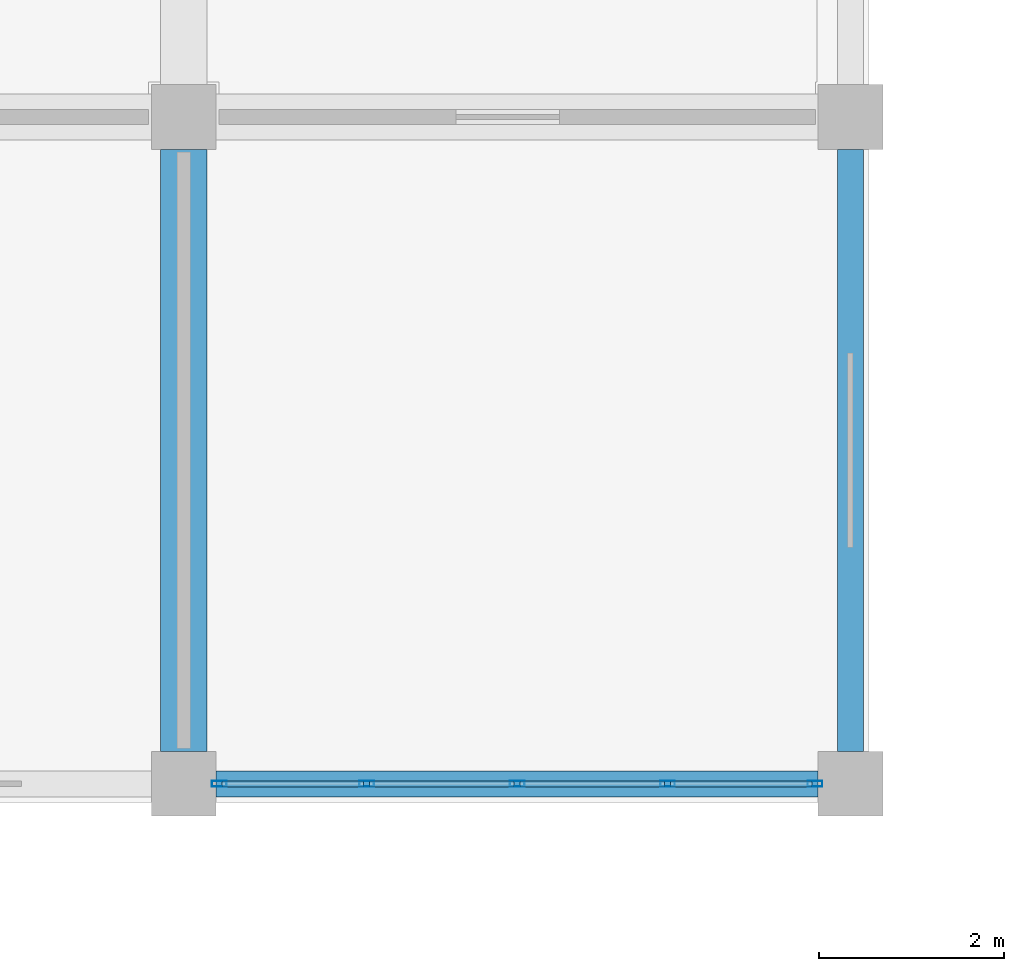
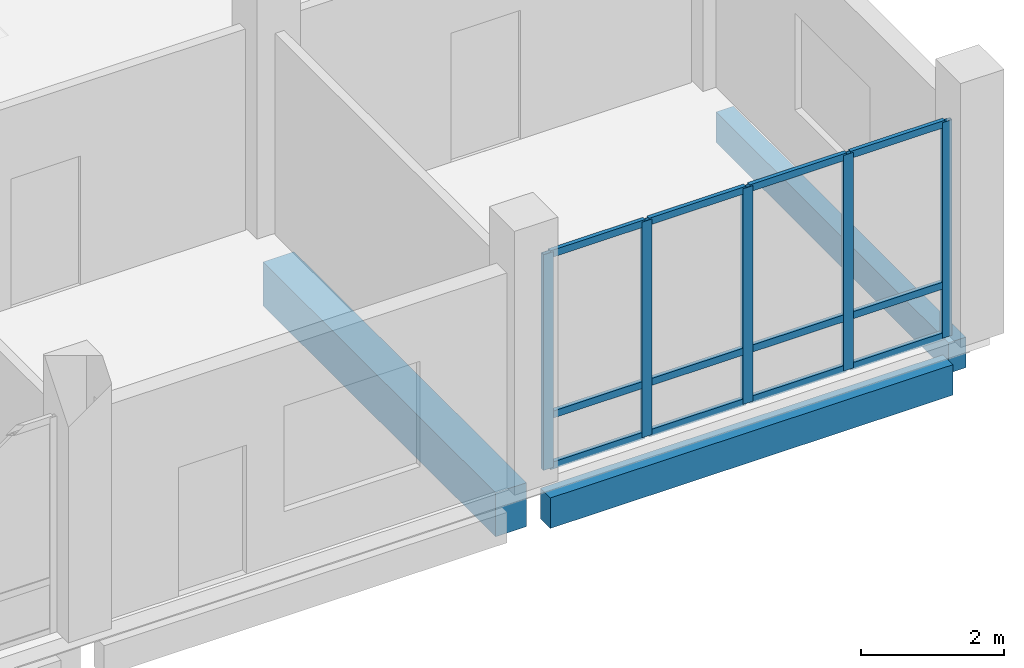
# One storey, part 75 of 139: 17 members, 3 beams, 1 element without a shape of its own.
"""IFC4 building model written with IfcOpenShell, lengths in metres."""

from ifc_helpers import new_model, si_unit, direction, frame, origin, origin_2d, place, context, subcontext, project, spatial, rectangle, hollow_rectangle, extrude, material, material_profile, profile_set, type_object, element, aggregate, save


model = new_model("IFC4")

# Units and contexts
model_context = context("Model", 3, precision=1e-05, world=origin(), true_north=direction((0.0, 1.0)))
body_context = subcontext(model_context, "Body", "Model", "MODEL_VIEW")
ifc_project = project(units=[si_unit("LENGTHUNIT", "METRE"), si_unit("AREAUNIT", "SQUARE_METRE"), si_unit("VOLUMEUNIT", "CUBIC_METRE"), si_unit("PLANEANGLEUNIT", "RADIAN"), si_unit("MASSUNIT", "GRAM", prefix="KILO")], contexts=[model_context])

# Site, building, storey
site_placement = place(None, origin())
site = spatial("IfcSite", under=ifc_project, at=site_placement, CompositionType="ELEMENT")
building_placement = place(site_placement, origin())
building = spatial("IfcBuilding", under=site, at=building_placement, Name="Suanplinth Sawtooth Commons", CompositionType="ELEMENT")
storey_placement = place(building_placement, origin())
storey = spatial("IfcBuildingStorey", under=building, at=storey_placement, Name="L00", CompositionType="ELEMENT", Elevation=0.0)

# Beams
ifc_material_1 = material(Name="Concrete C40/50", Category="concrete")
ifc_material_profile_1 = material_profile(ifc_material_1, rectangle(XDim=0.5, YDim=0.75, at=origin_2d()), Name="RC-GDR 500x750")
ifc_profile_set_1 = profile_set([ifc_material_profile_1], Name="Concrete C40/50")
beam_type_1 = type_object("IfcBeamType", Name="B-03", PredefinedType="USERDEFINED", material=ifc_profile_set_1)
beam_placement = place(storey_placement, frame((180.0, 0.35009765625, -0.794921875), z_axis=(0.0, 1.0, 0.0), x_axis=(-1.0, 0.0, 0.0)))
element("IfcBeam", 1, at=beam_placement, inside=storey, type_object=beam_type_1, Name="BMY-L00-C-25-0", ObjectType="GIRDER", PredefinedType="USERDEFINED", context=body_context, shape_type="SweptSolid", body=[
    extrude(rectangle(XDim=0.5, YDim=0.75, at=origin_2d()), origin(), (0.0, 0.0, 1.0), 6.5),
])
ifc_material_2 = material(Name="Precast concrete C40/50", Category="concrete")
ifc_material_profile_2 = material_profile(ifc_material_2, rectangle(XDim=0.280029296875, YDim=0.52001953125, at=origin_2d()), Name="PC-SP 280x520")
ifc_profile_set_2 = profile_set([ifc_material_profile_2], Name="Precast concrete C40/50")
beam_type_2 = type_object("IfcBeamType", Name="B-08", PredefinedType="SPANDREL", material=ifc_profile_set_2)
for number, where, z_axis, x_axis, name in (
    (2, (180.35009765625, 0.0, -0.679931640625), (1.0, 0.0, 0.0), (0.0, 1.0, 0.0), "BMX-L00-C-25-0"),
    (3, (187.199951171875, 0.35009765625, -0.679931640625), (0.0, 1.0, 0.0), (-1.0, 0.0, 0.0), "BMY-L00-C-26-0"),
):
    element("IfcBeam", number, at=place(storey_placement, frame(where, z_axis=z_axis, x_axis=x_axis)), inside=storey, type_object=beam_type_2, Name=name, PredefinedType="SPANDREL", context=body_context, shape_type="SweptSolid", body=[
        extrude(rectangle(XDim=0.280029296875, YDim=0.52001953125, at=origin_2d()), origin(), (0.0, 0.0, 1.0), 6.5),
    ])

# Curtain wall, members
ifc_material_3 = material(Name="Anodized aluminium and low-E glazing", Category="aluminium")
curtain_wall_type = type_object("IfcCurtainWallType", Name="CW-04", PredefinedType="USERDEFINED", material=ifc_material_3)
curtain_wall_placement = place(storey_placement, origin())
curtain_wall = element("IfcCurtainWall", 4, at=curtain_wall_placement, inside=storey, type_object=curtain_wall_type, Name="Curtain Wall CW-L00-C-S-25", ObjectType="CURTAIN WALL", PredefinedType="USERDEFINED")
ifc_material_4 = material(Name="Anodized aluminium 6063-T6", Category="aluminium")
ifc_material_profile_3 = material_profile(ifc_material_4, hollow_rectangle(XDim=0.06494140625, YDim=0.159912109375, WallThickness=0.00390625, at=origin_2d()), Name="ALU-MUL 65x160")
ifc_profile_set_3 = profile_set([ifc_material_profile_3], Name="Anodized aluminium 6063-T6")
member_type_1 = type_object("IfcMemberType", Name="M-13", PredefinedType="MULLION", material=ifc_profile_set_3)
member_1_placement = place(storey_placement, frame((180.382568359375, 0.0, 0.0), z_axis=(0.0, 0.0, 1.0), x_axis=(0.0, 1.0, 0.0)))
member_1 = element("IfcMember", 5, at=member_1_placement, type_object=member_type_1, Name="CW-04 mullion 1", PredefinedType="MULLION", context=body_context, shape_type="SweptSolid", body=[
    extrude(hollow_rectangle(XDim=0.06494140625, YDim=0.159912109375, WallThickness=0.00390625, at=origin_2d()), origin(), (0.0, 0.0, 1.0), 3.679931640625),
])
member_2_placement = place(storey_placement, frame((181.97509765625, 0.0, 0.0), z_axis=(0.0, 0.0, 1.0), x_axis=(0.0, 1.0, 0.0)))
member_2 = element("IfcMember", 6, at=member_2_placement, type_object=member_type_1, Name="CW-04 mullion 2", PredefinedType="MULLION", context=body_context, shape_type="SweptSolid", body=[
    extrude(hollow_rectangle(XDim=0.06494140625, YDim=0.159912109375, WallThickness=0.00390625, at=origin_2d()), origin(), (0.0, 0.0, 1.0), 3.679931640625),
])
member_3_placement = place(storey_placement, frame((183.60009765625, 0.0, 0.0), z_axis=(0.0, 0.0, 1.0), x_axis=(0.0, 1.0, 0.0)))
member_3 = element("IfcMember", 7, at=member_3_placement, type_object=member_type_1, Name="CW-04 mullion 3", PredefinedType="MULLION", context=body_context, shape_type="SweptSolid", body=[
    extrude(hollow_rectangle(XDim=0.06494140625, YDim=0.159912109375, WallThickness=0.00390625, at=origin_2d()), origin(), (0.0, 0.0, 1.0), 3.679931640625),
])
member_4_placement = place(storey_placement, frame((185.22509765625, 0.0, 0.0), z_axis=(0.0, 0.0, 1.0), x_axis=(0.0, 1.0, 0.0)))
member_4 = element("IfcMember", 8, at=member_4_placement, type_object=member_type_1, Name="CW-04 mullion 4", PredefinedType="MULLION", context=body_context, shape_type="SweptSolid", body=[
    extrude(hollow_rectangle(XDim=0.06494140625, YDim=0.159912109375, WallThickness=0.00390625, at=origin_2d()), origin(), (0.0, 0.0, 1.0), 3.679931640625),
])
member_5_placement = place(storey_placement, frame((186.8173828125, 0.0, 0.0), z_axis=(0.0, 0.0, 1.0), x_axis=(0.0, 1.0, 0.0)))
member_5 = element("IfcMember", 9, at=member_5_placement, type_object=member_type_1, Name="CW-04 mullion 5", PredefinedType="MULLION", context=body_context, shape_type="SweptSolid", body=[
    extrude(hollow_rectangle(XDim=0.06494140625, YDim=0.159912109375, WallThickness=0.00390625, at=origin_2d()), origin(), (0.0, 0.0, 1.0), 3.679931640625),
])
ifc_material_profile_4 = material_profile(ifc_material_4, hollow_rectangle(XDim=0.06494140625, YDim=0.1201171875, WallThickness=0.00390625, at=origin_2d()), Name="ALU-TRN 65x120")
ifc_profile_set_4 = profile_set([ifc_material_profile_4], Name="Anodized aluminium 6063-T6")
member_type_2 = type_object("IfcMemberType", Name="M-15", PredefinedType="USERDEFINED", material=ifc_profile_set_4)
member_6_placement = place(storey_placement, frame((180.4150390625, 0.0, 0.032470703125), z_axis=(1.0, 0.0, 0.0), x_axis=(0.0, 1.0, 0.0)))
member_6 = element("IfcMember", 10, at=member_6_placement, type_object=member_type_2, Name="CW-04 transom 1.1", ObjectType="TRANSOM", PredefinedType="USERDEFINED", context=body_context, shape_type="SweptSolid", body=[
    extrude(hollow_rectangle(XDim=0.06494140625, YDim=0.1201171875, WallThickness=0.00390625, at=origin_2d()), origin(), (0.0, 0.0, 1.0), 1.52734375),
])
member_7_placement = place(storey_placement, frame((180.4150390625, 0.0, 0.89990234375), z_axis=(1.0, 0.0, 0.0), x_axis=(0.0, 1.0, 0.0)))
member_7 = element("IfcMember", 11, at=member_7_placement, type_object=member_type_2, Name="CW-04 transom 1.2", ObjectType="TRANSOM", PredefinedType="USERDEFINED", context=body_context, shape_type="SweptSolid", body=[
    extrude(hollow_rectangle(XDim=0.06494140625, YDim=0.1201171875, WallThickness=0.00390625, at=origin_2d()), origin(), (0.0, 0.0, 1.0), 1.52734375),
])
member_8_placement = place(storey_placement, frame((180.4150390625, 0.0, 3.6474609375), z_axis=(1.0, 0.0, 0.0), x_axis=(0.0, 1.0, 0.0)))
member_8 = element("IfcMember", 12, at=member_8_placement, type_object=member_type_2, Name="CW-04 transom 1.3", ObjectType="TRANSOM", PredefinedType="USERDEFINED", context=body_context, shape_type="SweptSolid", body=[
    extrude(hollow_rectangle(XDim=0.06494140625, YDim=0.1201171875, WallThickness=0.00390625, at=origin_2d()), origin(), (0.0, 0.0, 1.0), 1.52734375),
])
member_9_placement = place(storey_placement, frame((182.007568359375, 0.0, 0.032470703125), z_axis=(1.0, 0.0, 0.0), x_axis=(0.0, 1.0, 0.0)))
member_9 = element("IfcMember", 13, at=member_9_placement, type_object=member_type_2, Name="CW-04 transom 2.1", ObjectType="TRANSOM", PredefinedType="USERDEFINED", context=body_context, shape_type="SweptSolid", body=[
    extrude(hollow_rectangle(XDim=0.06494140625, YDim=0.1201171875, WallThickness=0.00390625, at=origin_2d()), origin(), (0.0, 0.0, 1.0), 1.559814453125),
])
member_10_placement = place(storey_placement, frame((182.007568359375, 0.0, 0.89990234375), z_axis=(1.0, 0.0, 0.0), x_axis=(0.0, 1.0, 0.0)))
member_10 = element("IfcMember", 14, at=member_10_placement, type_object=member_type_2, Name="CW-04 transom 2.2", ObjectType="TRANSOM", PredefinedType="USERDEFINED", context=body_context, shape_type="SweptSolid", body=[
    extrude(hollow_rectangle(XDim=0.06494140625, YDim=0.1201171875, WallThickness=0.00390625, at=origin_2d()), origin(), (0.0, 0.0, 1.0), 1.559814453125),
])
member_11_placement = place(storey_placement, frame((182.007568359375, 0.0, 3.6474609375), z_axis=(1.0, 0.0, 0.0), x_axis=(0.0, 1.0, 0.0)))
member_11 = element("IfcMember", 15, at=member_11_placement, type_object=member_type_2, Name="CW-04 transom 2.3", ObjectType="TRANSOM", PredefinedType="USERDEFINED", context=body_context, shape_type="SweptSolid", body=[
    extrude(hollow_rectangle(XDim=0.06494140625, YDim=0.1201171875, WallThickness=0.00390625, at=origin_2d()), origin(), (0.0, 0.0, 1.0), 1.559814453125),
])
member_12_placement = place(storey_placement, frame((183.632568359375, 0.0, 0.032470703125), z_axis=(1.0, 0.0, 0.0), x_axis=(0.0, 1.0, 0.0)))
member_12 = element("IfcMember", 16, at=member_12_placement, type_object=member_type_2, Name="CW-04 transom 3.1", ObjectType="TRANSOM", PredefinedType="USERDEFINED", context=body_context, shape_type="SweptSolid", body=[
    extrude(hollow_rectangle(XDim=0.06494140625, YDim=0.1201171875, WallThickness=0.00390625, at=origin_2d()), origin(), (0.0, 0.0, 1.0), 1.559814453125),
])
member_13_placement = place(storey_placement, frame((183.632568359375, 0.0, 0.89990234375), z_axis=(1.0, 0.0, 0.0), x_axis=(0.0, 1.0, 0.0)))
member_13 = element("IfcMember", 17, at=member_13_placement, type_object=member_type_2, Name="CW-04 transom 3.2", ObjectType="TRANSOM", PredefinedType="USERDEFINED", context=body_context, shape_type="SweptSolid", body=[
    extrude(hollow_rectangle(XDim=0.06494140625, YDim=0.1201171875, WallThickness=0.00390625, at=origin_2d()), origin(), (0.0, 0.0, 1.0), 1.559814453125),
])
member_14_placement = place(storey_placement, frame((183.632568359375, 0.0, 3.6474609375), z_axis=(1.0, 0.0, 0.0), x_axis=(0.0, 1.0, 0.0)))
member_14 = element("IfcMember", 18, at=member_14_placement, type_object=member_type_2, Name="CW-04 transom 3.3", ObjectType="TRANSOM", PredefinedType="USERDEFINED", context=body_context, shape_type="SweptSolid", body=[
    extrude(hollow_rectangle(XDim=0.06494140625, YDim=0.1201171875, WallThickness=0.00390625, at=origin_2d()), origin(), (0.0, 0.0, 1.0), 1.559814453125),
])
member_15_placement = place(storey_placement, frame((185.257568359375, 0.0, 0.032470703125), z_axis=(1.0, 0.0, 0.0), x_axis=(0.0, 1.0, 0.0)))
member_15 = element("IfcMember", 19, at=member_15_placement, type_object=member_type_2, Name="CW-04 transom 4.1", ObjectType="TRANSOM", PredefinedType="USERDEFINED", context=body_context, shape_type="SweptSolid", body=[
    extrude(hollow_rectangle(XDim=0.06494140625, YDim=0.1201171875, WallThickness=0.00390625, at=origin_2d()), origin(), (0.0, 0.0, 1.0), 1.52734375),
])
member_16_placement = place(storey_placement, frame((185.257568359375, 0.0, 0.89990234375), z_axis=(1.0, 0.0, 0.0), x_axis=(0.0, 1.0, 0.0)))
member_16 = element("IfcMember", 20, at=member_16_placement, type_object=member_type_2, Name="CW-04 transom 4.2", ObjectType="TRANSOM", PredefinedType="USERDEFINED", context=body_context, shape_type="SweptSolid", body=[
    extrude(hollow_rectangle(XDim=0.06494140625, YDim=0.1201171875, WallThickness=0.00390625, at=origin_2d()), origin(), (0.0, 0.0, 1.0), 1.52734375),
])
member_17_placement = place(storey_placement, frame((185.257568359375, 0.0, 3.6474609375), z_axis=(1.0, 0.0, 0.0), x_axis=(0.0, 1.0, 0.0)))
member_17 = element("IfcMember", 21, at=member_17_placement, type_object=member_type_2, Name="CW-04 transom 4.3", ObjectType="TRANSOM", PredefinedType="USERDEFINED", context=body_context, shape_type="SweptSolid", body=[
    extrude(hollow_rectangle(XDim=0.06494140625, YDim=0.1201171875, WallThickness=0.00390625, at=origin_2d()), origin(), (0.0, 0.0, 1.0), 1.52734375),
])
aggregate(curtain_wall, [member_1, member_2, member_3, member_4, member_5, member_6, member_7, member_8, member_9, member_10, member_11, member_12, member_13, member_14, member_15, member_16, member_17])

save(model, "model.ifc")
